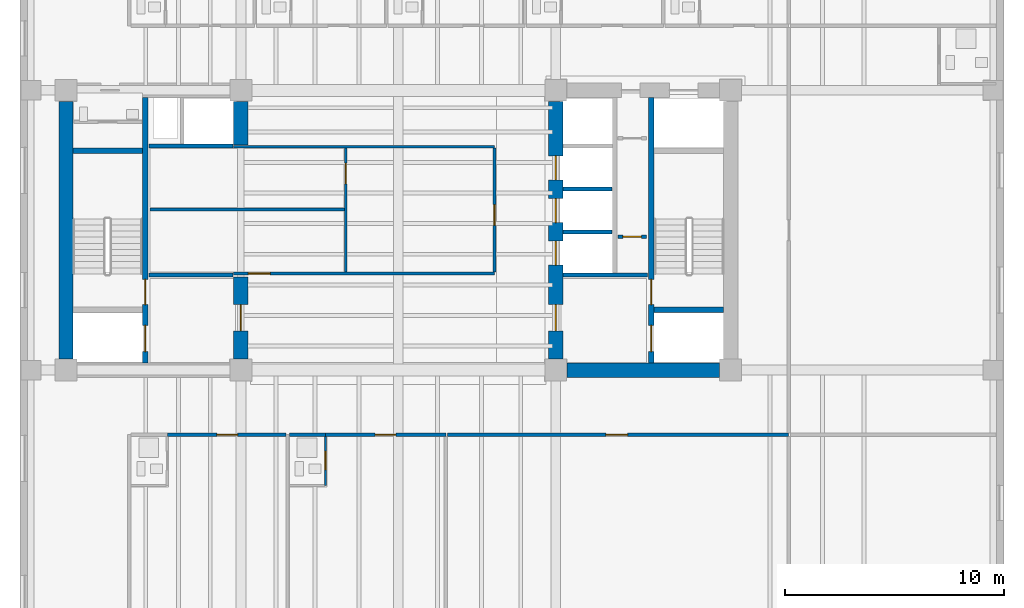
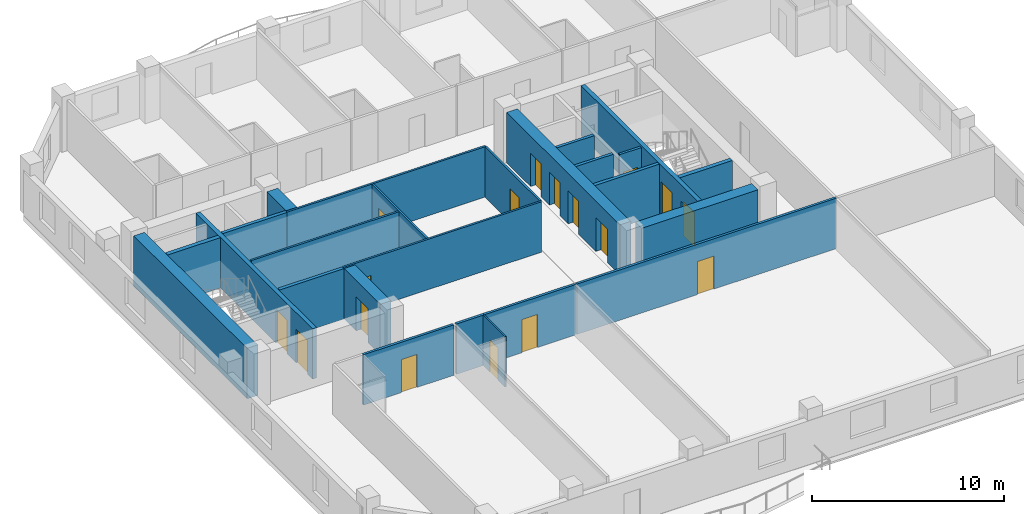
# One storey, part 3 of 9: 25 walls, 17 doors, 17 openings.
"""IFC4 building model written with IfcOpenShell, lengths in metres."""

from ifc_helpers import new_model, si_unit, direction, frame, frame_2d, origin, place, context, subcontext, project, spatial, rectangle, extrude, material, layer, layer_set, type_object, element, fill, save


model = new_model("IFC4")

# Units and contexts
model_context = context("Model", 3, precision=1e-05, world=origin(), true_north=direction((0.0, 1.0)))
body_context = subcontext(model_context, "Body", "Model", "MODEL_VIEW")
ifc_project = project(units=[si_unit("LENGTHUNIT", "METRE"), si_unit("AREAUNIT", "SQUARE_METRE"), si_unit("VOLUMEUNIT", "CUBIC_METRE"), si_unit("PLANEANGLEUNIT", "RADIAN"), si_unit("MASSUNIT", "GRAM", prefix="KILO")], contexts=[model_context])

# Site, building, storey
site_placement = place(None, origin())
site = spatial("IfcSite", under=ifc_project, at=site_placement, CompositionType="ELEMENT")
building_placement = place(site_placement, origin())
building = spatial("IfcBuilding", under=site, at=building_placement, Name="Kranthara Brick Stack", CompositionType="ELEMENT")
storey_placement = place(building_placement, frame((0.0, 0.0, 148.300048828125)))
storey = spatial("IfcBuildingStorey", under=building, at=storey_placement, Name="L37", CompositionType="ELEMENT", Elevation=148.300048828125)

# Wall, openings, doors
ifc_material_1 = material(Name="Concrete C50/60", Category="concrete")
ifc_layer_1 = layer(ifc_material_1, 0.25)
ifc_layer_set_1 = layer_set([ifc_layer_1], Name="Concrete C50/60")
wall_type_1 = type_object("IfcWallType", Name="WL-CORE-250", PredefinedType="SHEAR", material=ifc_layer_set_1)
wall_1_placement = place(storey_placement, frame((16.43505859375, 21.135009765625, 0.0), z_axis=(0.0, 0.0, 1.0), x_axis=(0.0, 1.0, 0.0)))
wall_1 = element("IfcWall", 1, at=wall_1_placement, inside=storey, type_object=wall_type_1, Name="L37 West Core Stair Bearing Spine Wall", PredefinedType="SHEAR", context=body_context, shape_type="SweptSolid", body=[
    extrude(rectangle(XDim=12.1298828125, YDim=0.25, at=frame_2d((6.06494140625, 0.0))), origin(), (0.0, 0.0, 1.0), 3.199951171875),
])
opening_1_placement = place(wall_1_placement, frame((0.514892578125, 0.0, 0.0)))
opening_1 = element("IfcOpeningElement", 2, at=opening_1_placement, cuts=wall_1, Name="Opening LD01", PredefinedType="OPENING", context=body_context, shape_type="SweptSolid", body=[
    extrude(rectangle(XDim=1.199951171875, YDim=2.14990234375, at=frame_2d((0.60009765625, 1.074951171875))), frame((0.0, 0.135009765625, 0.0), z_axis=(0.0, -1.0, 0.0), x_axis=(1.0, 0.0, 0.0)), (0.0, 0.0, 1.0), 0.27001953125),
])
opening_2_placement = place(wall_1_placement, frame((2.6650390625, 0.0, 0.0)))
opening_2 = element("IfcOpeningElement", 3, at=opening_2_placement, cuts=wall_1, Name="Opening D05", PredefinedType="OPENING", context=body_context, shape_type="SweptSolid", body=[
    extrude(rectangle(XDim=1.14990234375, YDim=2.14990234375, at=frame_2d((0.574951171875, 1.074951171875))), frame((0.0, 0.135009765625, 0.0), z_axis=(0.0, -1.0, 0.0), x_axis=(1.0, 0.0, 0.0)), (0.0, 0.0, 1.0), 0.27001953125),
])
ifc_material_2 = material(Name="Stainless steel sliding landing door", Category="steel")
door_type_1 = type_object("IfcDoorType", Name="DR-LD-FF1200", OperationType="DOUBLE_DOOR_SLIDING", PredefinedType="DOOR", material=ifc_material_2)
door_1_placement = place(opening_1_placement, origin())
door_1 = element("IfcDoor", 4, at=door_1_placement, inside=storey, type_object=door_type_1, Name="L37 Firefighting Lift FF-01 Landing Door", OperationType="DOUBLE_DOOR_SLIDING", OverallHeight=2.14990234375, OverallWidth=1.199951171875, PredefinedType="DOOR", context=body_context, shape_type="SweptSolid", body=[
    extrude(rectangle(XDim=1.199951171875, YDim=2.14990234375, at=frame_2d((0.60009765625, 1.074951171875))), frame((0.0, 0.02490234375, 0.0), z_axis=(0.0, -1.0, 0.0), x_axis=(1.0, 0.0, 0.0)), (0.0, 0.0, 1.0), 0.050048828125),
])
fill(opening_1, door_1)
ifc_material_3 = material(Name="Solid-core hardwood timber leaf in steel frame", Category="steel")
door_type_2 = type_object("IfcDoorType", Name="DR-ST-1150", OperationType="NOTDEFINED", PredefinedType="DOOR", material=ifc_material_3)
door_2_placement = place(opening_2_placement, origin())
door_2 = element("IfcDoor", 5, at=door_2_placement, inside=storey, type_object=door_type_2, Name="L37 Exit Stair ST01 Door", OperationType="SINGLE_SWING_RIGHT", OverallHeight=2.14990234375, OverallWidth=1.14990234375, PredefinedType="DOOR", context=body_context, shape_type="SweptSolid", body=[
    extrude(rectangle(XDim=1.14990234375, YDim=2.14990234375, at=frame_2d((0.574951171875, 1.074951171875))), frame((0.0, 0.02490234375, 0.0), z_axis=(0.0, -1.0, 0.0), x_axis=(1.0, 0.0, 0.0)), (0.0, 0.0, 1.0), 0.050048828125),
])
fill(opening_2, door_2)

# Wall
wall_2_placement = place(storey_placement, frame((13.135009765625, 30.830078125, 0.0), z_axis=(0.0, 0.0, 1.0), x_axis=(1.0, 0.0, 0.0)))
element("IfcWall", 6, at=wall_2_placement, inside=storey, type_object=wall_type_1, Name="L37 West Stairwell Bearing Wall WST", PredefinedType="SHEAR", context=body_context, shape_type="SweptSolid", body=[
    extrude(rectangle(XDim=3.175048828125, YDim=0.25, at=frame_2d((1.58740234375, 0.0))), origin(), (0.0, 0.0, 1.0), 3.199951171875),
])

# Wall, openings, doors
wall_3_placement = place(storey_placement, frame((39.56494140625, 21.135009765625, 0.0), z_axis=(0.0, 0.0, 1.0), x_axis=(0.0, 1.0, 0.0)))
wall_3 = element("IfcWall", 7, at=wall_3_placement, inside=storey, type_object=wall_type_1, Name="L37 East Core Stair Bearing Spine Wall", PredefinedType="SHEAR", context=body_context, shape_type="SweptSolid", body=[
    extrude(rectangle(XDim=12.1298828125, YDim=0.25, at=frame_2d((6.06494140625, 0.0))), origin(), (0.0, 0.0, 1.0), 3.199951171875),
])
opening_3_placement = place(wall_3_placement, frame((0.514892578125, 0.0, 0.0)))
opening_3 = element("IfcOpeningElement", 8, at=opening_3_placement, cuts=wall_3, Name="Opening LD01", PredefinedType="OPENING", context=body_context, shape_type="SweptSolid", body=[
    extrude(rectangle(XDim=1.199951171875, YDim=2.14990234375, at=frame_2d((0.60009765625, 1.074951171875))), frame((0.0, 0.135009765625, 0.0), z_axis=(0.0, -1.0, 0.0), x_axis=(1.0, 0.0, 0.0)), (0.0, 0.0, 1.0), 0.27001953125),
])
opening_4_placement = place(wall_3_placement, frame((2.6650390625, 0.0, 0.0)))
opening_4 = element("IfcOpeningElement", 9, at=opening_4_placement, cuts=wall_3, Name="Opening D05", PredefinedType="OPENING", context=body_context, shape_type="SweptSolid", body=[
    extrude(rectangle(XDim=1.14990234375, YDim=2.14990234375, at=frame_2d((0.574951171875, 1.074951171875))), frame((0.0, 0.135009765625, 0.0), z_axis=(0.0, -1.0, 0.0), x_axis=(1.0, 0.0, 0.0)), (0.0, 0.0, 1.0), 0.27001953125),
])
door_3_placement = place(opening_3_placement, origin())
door_3 = element("IfcDoor", 10, at=door_3_placement, inside=storey, type_object=door_type_1, Name="L37 Firefighting Lift FF-02 Landing Door", OperationType="DOUBLE_DOOR_SLIDING", OverallHeight=2.14990234375, OverallWidth=1.199951171875, PredefinedType="DOOR", context=body_context, shape_type="SweptSolid", body=[
    extrude(rectangle(XDim=1.199951171875, YDim=2.14990234375, at=frame_2d((0.60009765625, 1.074951171875))), frame((0.0, 0.02490234375, 0.0), z_axis=(0.0, -1.0, 0.0), x_axis=(1.0, 0.0, 0.0)), (0.0, 0.0, 1.0), 0.050048828125),
])
fill(opening_3, door_3)
door_4_placement = place(opening_4_placement, origin())
door_4 = element("IfcDoor", 11, at=door_4_placement, inside=storey, type_object=door_type_2, Name="L37 Exit Stair ST02 Door", OperationType="SINGLE_SWING_LEFT", OverallHeight=2.14990234375, OverallWidth=1.14990234375, PredefinedType="DOOR", context=body_context, shape_type="SweptSolid", body=[
    extrude(rectangle(XDim=1.14990234375, YDim=2.14990234375, at=frame_2d((0.574951171875, 1.074951171875))), frame((0.0, 0.02490234375, 0.0), z_axis=(0.0, -1.0, 0.0), x_axis=(1.0, 0.0, 0.0)), (0.0, 0.0, 1.0), 0.050048828125),
])
fill(opening_4, door_4)

# Walls
wall_4_placement = place(storey_placement, frame((39.68994140625, 23.570068359375, 0.0), z_axis=(0.0, 0.0, 1.0), x_axis=(1.0, 0.0, 0.0)))
element("IfcWall", 12, at=wall_4_placement, inside=storey, type_object=wall_type_1, Name="L37 East Stairwell Bearing Wall EFF", PredefinedType="SHEAR", context=body_context, shape_type="SweptSolid", body=[
    extrude(rectangle(XDim=3.175048828125, YDim=0.25, at=frame_2d((1.58740234375, 0.0))), origin(), (0.0, 0.0, 1.0), 3.199951171875),
])
ifc_material_4 = material(Name="Concrete C60/75", Category="concrete")
ifc_layer_2 = layer(ifc_material_4, 0.64990234375)
ifc_layer_set_2 = layer_set([ifc_layer_2], Name="Concrete C60/75")
wall_type_2 = type_object("IfcWallType", Name="WL-CORE-650", PredefinedType="SHEAR", material=ifc_layer_set_2)
wall_5_placement = place(storey_placement, frame((12.800048828125, 21.304931640625, 0.0), z_axis=(0.0, 0.0, 1.0), x_axis=(0.0, 1.0, 0.0)))
element("IfcWall", 13, at=wall_5_placement, inside=storey, type_object=wall_type_2, Name="L37 West Core Shear Wall West", PredefinedType="SHEAR", context=body_context, shape_type="SweptSolid", body=[
    extrude(rectangle(XDim=11.7900390625, YDim=0.64990234375, at=frame_2d((5.89501953125, 0.0))), origin(), (0.0, 0.0, 1.0), 3.199951171875),
])

# Wall, opening, door
wall_6_placement = place(storey_placement, frame((20.800048828125, 21.304931640625, 0.0), z_axis=(0.0, 0.0, 1.0), x_axis=(0.0, 1.0, 0.0)))
wall_6 = element("IfcWall", 14, at=wall_6_placement, inside=storey, type_object=wall_type_2, Name="L37 West Core Lobby Shear Wall", PredefinedType="SHEAR", context=body_context, shape_type="SweptSolid", body=[
    extrude(rectangle(XDim=3.7451171875, YDim=0.64990234375, at=frame_2d((1.87255859375, 0.0))), origin(), (0.0, 0.0, 1.0), 3.199951171875),
])
opening_5_placement = place(wall_6_placement, frame((1.294921875, 0.0, 0.0)))
opening_5 = element("IfcOpeningElement", 15, at=opening_5_placement, cuts=wall_6, Name="Opening D06", PredefinedType="OPENING", context=body_context, shape_type="SweptSolid", body=[
    extrude(rectangle(XDim=1.199951171875, YDim=2.14990234375, at=frame_2d((0.60009765625, 1.074951171875))), frame((0.0, 0.3349609375, 0.0), z_axis=(0.0, -1.0, 0.0), x_axis=(1.0, 0.0, 0.0)), (0.0, 0.0, 1.0), 0.669921875),
])
ifc_material_5 = material(Name="Solid-core hardwood timber leaf in steel frame", Category="steel")
door_type_3 = type_object("IfcDoorType", Name="DR-FFL-1200", OperationType="NOTDEFINED", PredefinedType="DOOR", material=ifc_material_5)
door_5_placement = place(opening_5_placement, origin())
door_5 = element("IfcDoor", 16, at=door_5_placement, inside=storey, type_object=door_type_3, Name="L37 West Firefighting Lobby Door", OperationType="SINGLE_SWING_LEFT", OverallHeight=2.14990234375, OverallWidth=1.199951171875, PredefinedType="DOOR", context=body_context, shape_type="SweptSolid", body=[
    extrude(rectangle(XDim=1.199951171875, YDim=2.14990234375, at=frame_2d((0.60009765625, 1.074951171875))), frame((0.0, 0.02490234375, 0.0), z_axis=(0.0, -1.0, 0.0), x_axis=(1.0, 0.0, 0.0)), (0.0, 0.0, 1.0), 0.050048828125),
])
fill(opening_5, door_5)

# Walls
wall_7_placement = place(storey_placement, frame((20.800048828125, 31.10009765625, 0.0), z_axis=(0.0, 0.0, 1.0), x_axis=(0.0, 1.0, 0.0)))
element("IfcWall", 17, at=wall_7_placement, inside=storey, type_object=wall_type_2, Name="L37 West Core High-Rise Lift Wall", PredefinedType="SHEAR", context=body_context, shape_type="SweptSolid", body=[
    extrude(rectangle(XDim=1.994873046875, YDim=0.64990234375, at=frame_2d((0.99755859375, 0.0))), origin(), (0.0, 0.0, 1.0), 3.199951171875),
])
wall_8_placement = place(storey_placement, frame((35.705078125, 20.800048828125, 0.0), z_axis=(0.0, 0.0, 1.0), x_axis=(1.0, 0.0, 0.0)))
element("IfcWall", 18, at=wall_8_placement, inside=storey, type_object=wall_type_2, Name="L37 East Core Shear Wall South", PredefinedType="SHEAR", context=body_context, shape_type="SweptSolid", body=[
    extrude(rectangle(XDim=6.989990234375, YDim=0.64990234375, at=frame_2d((3.4951171875, 0.0))), origin(), (0.0, 0.0, 1.0), 3.199951171875),
])

# Wall, openings, doors
wall_9_placement = place(storey_placement, frame((35.199951171875, 21.304931640625, 0.0), z_axis=(0.0, 0.0, 1.0), x_axis=(0.0, 1.0, 0.0)))
wall_9 = element("IfcWall", 19, at=wall_9_placement, inside=storey, type_object=wall_type_2, Name="L37 East Core Shear Wall West", PredefinedType="SHEAR", context=body_context, shape_type="SweptSolid", body=[
    extrude(rectangle(XDim=11.7900390625, YDim=0.64990234375, at=frame_2d((5.89501953125, 0.0))), origin(), (0.0, 0.0, 1.0), 3.199951171875),
])
opening_6_placement = place(wall_9_placement, frame((1.294921875, 0.0, 0.0)))
opening_6 = element("IfcOpeningElement", 20, at=opening_6_placement, cuts=wall_9, Name="Opening D06", PredefinedType="OPENING", context=body_context, shape_type="SweptSolid", body=[
    extrude(rectangle(XDim=1.199951171875, YDim=2.14990234375, at=frame_2d((0.60009765625, 1.074951171875))), frame((0.0, 0.3349609375, 0.0), z_axis=(0.0, -1.0, 0.0), x_axis=(1.0, 0.0, 0.0)), (0.0, 0.0, 1.0), 0.669921875),
])
opening_7_placement = place(wall_9_placement, frame((4.294921875, 0.0, 0.0)))
opening_7 = element("IfcOpeningElement", 21, at=opening_7_placement, cuts=wall_9, Name="Opening LD02", PredefinedType="OPENING", context=body_context, shape_type="SweptSolid", body=[
    extrude(rectangle(XDim=1.10009765625, YDim=2.10009765625, at=frame_2d((0.550048828125, 1.050048828125))), frame((0.0, 0.3349609375, 0.0), z_axis=(0.0, -1.0, 0.0), x_axis=(1.0, 0.0, 0.0)), (0.0, 0.0, 1.0), 0.669921875),
])
opening_8_placement = place(wall_9_placement, frame((6.2451171875, 0.0, 0.0)))
opening_8 = element("IfcOpeningElement", 22, at=opening_8_placement, cuts=wall_9, Name="Opening LD02", PredefinedType="OPENING", context=body_context, shape_type="SweptSolid", body=[
    extrude(rectangle(XDim=1.10009765625, YDim=2.10009765625, at=frame_2d((0.550048828125, 1.050048828125))), frame((0.0, 0.3349609375, 0.0), z_axis=(0.0, -1.0, 0.0), x_axis=(1.0, 0.0, 0.0)), (0.0, 0.0, 1.0), 0.669921875),
])
opening_9_placement = place(wall_9_placement, frame((8.195068359375, 0.0, 0.0)))
opening_9 = element("IfcOpeningElement", 23, at=opening_9_placement, cuts=wall_9, Name="Opening LD02", PredefinedType="OPENING", context=body_context, shape_type="SweptSolid", body=[
    extrude(rectangle(XDim=1.10009765625, YDim=2.10009765625, at=frame_2d((0.550048828125, 1.050048828125))), frame((0.0, 0.3349609375, 0.0), z_axis=(0.0, -1.0, 0.0), x_axis=(1.0, 0.0, 0.0)), (0.0, 0.0, 1.0), 0.669921875),
])
door_6_placement = place(opening_6_placement, origin())
door_6 = element("IfcDoor", 24, at=door_6_placement, inside=storey, type_object=door_type_3, Name="L37 East Firefighting Lobby Door", OperationType="SINGLE_SWING_RIGHT", OverallHeight=2.14990234375, OverallWidth=1.199951171875, PredefinedType="DOOR", context=body_context, shape_type="SweptSolid", body=[
    extrude(rectangle(XDim=1.199951171875, YDim=2.14990234375, at=frame_2d((0.60009765625, 1.074951171875))), frame((0.0, 0.02490234375, 0.0), z_axis=(0.0, -1.0, 0.0), x_axis=(1.0, 0.0, 0.0)), (0.0, 0.0, 1.0), 0.050048828125),
])
fill(opening_6, door_6)
ifc_material_6 = material(Name="Stainless steel sliding landing door", Category="steel")
door_type_4 = type_object("IfcDoorType", Name="DR-LD-PL1100", OperationType="DOUBLE_DOOR_SLIDING", PredefinedType="DOOR", material=ifc_material_6)
door_7_placement = place(opening_7_placement, origin())
door_7 = element("IfcDoor", 25, at=door_7_placement, inside=storey, type_object=door_type_4, Name="L37 PL-04 Lift Landing Door", OperationType="DOUBLE_DOOR_SLIDING", OverallHeight=2.10009765625, OverallWidth=1.10009765625, PredefinedType="DOOR", context=body_context, shape_type="SweptSolid", body=[
    extrude(rectangle(XDim=1.10009765625, YDim=2.10009765625, at=frame_2d((0.550048828125, 1.050048828125))), frame((0.0, 0.02490234375, 0.0), z_axis=(0.0, -1.0, 0.0), x_axis=(1.0, 0.0, 0.0)), (0.0, 0.0, 1.0), 0.050048828125),
])
fill(opening_7, door_7)
door_8_placement = place(opening_8_placement, origin())
door_8 = element("IfcDoor", 26, at=door_8_placement, inside=storey, type_object=door_type_4, Name="L37 PL-05 Lift Landing Door", OperationType="DOUBLE_DOOR_SLIDING", OverallHeight=2.10009765625, OverallWidth=1.10009765625, PredefinedType="DOOR", context=body_context, shape_type="SweptSolid", body=[
    extrude(rectangle(XDim=1.10009765625, YDim=2.10009765625, at=frame_2d((0.550048828125, 1.050048828125))), frame((0.0, 0.02490234375, 0.0), z_axis=(0.0, -1.0, 0.0), x_axis=(1.0, 0.0, 0.0)), (0.0, 0.0, 1.0), 0.050048828125),
])
fill(opening_8, door_8)
door_9_placement = place(opening_9_placement, origin())
door_9 = element("IfcDoor", 27, at=door_9_placement, inside=storey, type_object=door_type_4, Name="L37 PL-06 Lift Landing Door", OperationType="DOUBLE_DOOR_SLIDING", OverallHeight=2.10009765625, OverallWidth=1.10009765625, PredefinedType="DOOR", context=body_context, shape_type="SweptSolid", body=[
    extrude(rectangle(XDim=1.10009765625, YDim=2.10009765625, at=frame_2d((0.550048828125, 1.050048828125))), frame((0.0, 0.02490234375, 0.0), z_axis=(0.0, -1.0, 0.0), x_axis=(1.0, 0.0, 0.0)), (0.0, 0.0, 1.0), 0.050048828125),
])
fill(opening_9, door_9)

# Wall, opening, door
ifc_material_7 = material(Name="Moisture-resistant wet-room partition", Category="other")
ifc_layer_3 = layer(ifc_material_7, 0.10009765625)
ifc_layer_set_3 = layer_set([ifc_layer_3], Name="Moisture-resistant wet-room partition")
wall_type_3 = type_object("IfcWallType", Name="WL-PART-100", PredefinedType="PARTITIONING", material=ifc_layer_set_3)
wall_10_placement = place(storey_placement, frame((24.672607421875, 15.52001953125, 0.0), z_axis=(0.0, 0.0, 1.0), x_axis=(0.0, 1.0, 0.0)))
wall_10 = element("IfcWall", 28, at=wall_10_placement, inside=storey, type_object=wall_type_3, Name="L37 Interior Partition 017", PredefinedType="PARTITIONING", context=body_context, shape_type="SweptSolid", body=[
    extrude(rectangle(XDim=2.25, YDim=0.10009765625, at=frame_2d((1.125, 0.0))), origin(), (0.0, 0.0, 1.0), 3.199951171875),
])
opening_10_placement = place(wall_10_placement, frame((0.719970703125, 0.0, 0.0)))
opening_10 = element("IfcOpeningElement", 29, at=opening_10_placement, cuts=wall_10, Name="Opening D17", PredefinedType="OPENING", context=body_context, shape_type="SweptSolid", body=[
    extrude(rectangle(XDim=0.85009765625, YDim=2.050048828125, at=frame_2d((0.425048828125, 1.02490234375))), frame((0.0, 0.06005859375, 0.0), z_axis=(0.0, -1.0, 0.0), x_axis=(1.0, 0.0, 0.0)), (0.0, 0.0, 1.0), 0.1201171875),
])
ifc_material_8 = material(Name="Solid-core hardwood timber leaf in steel frame", Category="steel")
door_type_5 = type_object("IfcDoorType", Name="DR-WET-850", OperationType="NOTDEFINED", PredefinedType="DOOR", material=ifc_material_8)
door_10_placement = place(opening_10_placement, origin())
door_10 = element("IfcDoor", 30, at=door_10_placement, inside=storey, type_object=door_type_5, Name="L37 Key 02 En-Suite Door 09", OperationType="SINGLE_SWING_LEFT", OverallHeight=2.050048828125, OverallWidth=0.85009765625, PredefinedType="DOOR", context=body_context, shape_type="SweptSolid", body=[
    extrude(rectangle(XDim=0.85009765625, YDim=2.050048828125, at=frame_2d((0.425048828125, 1.02490234375))), frame((0.0, 0.02490234375, 0.0), z_axis=(0.0, -1.0, 0.0), x_axis=(1.0, 0.0, 0.0)), (0.0, 0.0, 1.0), 0.050048828125),
])
fill(opening_10, door_10)

ifc_material_9 = material(Name="Acoustic gypsum plasterboard partition", Category="other")
ifc_layer_4 = layer(ifc_material_9, 0.1201171875)
ifc_layer_set_4 = layer_set([ifc_layer_4], Name="Acoustic gypsum plasterboard partition")
wall_type_4 = type_object("IfcWallType", Name="WL-PART-120", PredefinedType="PARTITIONING", material=ifc_layer_set_4)
wall_11_placement = place(storey_placement, frame((20.4599609375, 25.219970703125, 0.0), z_axis=(0.0, 0.0, 1.0), x_axis=(1.0, 0.0, 0.0)))
wall_11 = element("IfcWall", 31, at=wall_11_placement, inside=storey, type_object=wall_type_4, Name="L37 Interior Partition 004", PredefinedType="PARTITIONING", context=body_context, shape_type="SweptSolid", body=[
    extrude(rectangle(XDim=11.93994140625, YDim=0.1201171875, at=frame_2d((5.969970703125, 0.0))), origin(), (0.0, 0.0, 1.0), 3.199951171875),
])
opening_11_placement = place(wall_11_placement, frame((0.679931640625, 0.0, 0.0)))
opening_11 = element("IfcOpeningElement", 32, at=opening_11_placement, cuts=wall_11, Name="Opening D13", PredefinedType="OPENING", context=body_context, shape_type="SweptSolid", body=[
    extrude(rectangle(XDim=1.0, YDim=2.10009765625, at=frame_2d((0.5, 1.050048828125))), frame((0.0, 0.070068359375, 0.0), z_axis=(0.0, -1.0, 0.0), x_axis=(1.0, 0.0, 0.0)), (0.0, 0.0, 1.0), 0.14013671875),
])
ifc_material_10 = material(Name="Solid-core hardwood timber leaf in steel frame", Category="steel")
door_type_6 = type_object("IfcDoorType", Name="DR-INT-1000", OperationType="NOTDEFINED", PredefinedType="DOOR", material=ifc_material_10)
door_11_placement = place(opening_11_placement, origin())
door_11 = element("IfcDoor", 33, at=door_11_placement, inside=storey, type_object=door_type_6, Name="L37 Reading Room Door 04", OperationType="SINGLE_SWING_RIGHT", OverallHeight=2.10009765625, OverallWidth=1.0, PredefinedType="DOOR", context=body_context, shape_type="SweptSolid", body=[
    extrude(rectangle(XDim=1.0, YDim=2.10009765625, at=frame_2d((0.5, 1.050048828125))), frame((0.0, 0.02490234375, 0.0), z_axis=(0.0, -1.0, 0.0), x_axis=(1.0, 0.0, 0.0)), (0.0, 0.0, 1.0), 0.050048828125),
])
fill(opening_11, door_11)

# Wall
wall_12_placement = place(storey_placement, frame((20.4599609375, 31.02001953125, 0.0), z_axis=(0.0, 0.0, 1.0), x_axis=(1.0, 0.0, 0.0)))
element("IfcWall", 34, at=wall_12_placement, inside=storey, type_object=wall_type_4, Name="L37 Interior Partition 005", PredefinedType="PARTITIONING", context=body_context, shape_type="SweptSolid", body=[
    extrude(rectangle(XDim=11.93994140625, YDim=0.1201171875, at=frame_2d((5.969970703125, 0.0))), origin(), (0.0, 0.0, 1.0), 3.199951171875),
])

# Wall, opening, door
wall_13_placement = place(storey_placement, frame((32.39990234375, 25.284912109375, 0.0), z_axis=(0.0, 0.0, 1.0), x_axis=(0.0, 1.0, 0.0)))
wall_13 = element("IfcWall", 35, at=wall_13_placement, inside=storey, type_object=wall_type_4, Name="L37 Interior Partition 006", PredefinedType="PARTITIONING", context=body_context, shape_type="SweptSolid", body=[
    extrude(rectangle(XDim=5.670166015625, YDim=0.1201171875, at=frame_2d((2.8349609375, 0.0))), origin(), (0.0, 0.0, 1.0), 3.199951171875),
])
opening_12_placement = place(wall_13_placement, frame((2.135009765625, 0.0, 0.0)))
opening_12 = element("IfcOpeningElement", 36, at=opening_12_placement, cuts=wall_13, Name="Opening D14", PredefinedType="OPENING", context=body_context, shape_type="SweptSolid", body=[
    extrude(rectangle(XDim=0.949951171875, YDim=2.10009765625, at=frame_2d((0.47509765625, 1.050048828125))), frame((0.0, 0.070068359375, 0.0), z_axis=(0.0, -1.0, 0.0), x_axis=(1.0, 0.0, 0.0)), (0.0, 0.0, 1.0), 0.14013671875),
])
ifc_material_11 = material(Name="Solid-core hardwood timber leaf in steel frame", Category="steel")
door_type_7 = type_object("IfcDoorType", Name="DR-INT-950", OperationType="NOTDEFINED", PredefinedType="DOOR", material=ifc_material_11)
door_12_placement = place(opening_12_placement, origin())
door_12 = element("IfcDoor", 37, at=door_12_placement, inside=storey, type_object=door_type_7, Name="L37 Housekeeping Linen Door 06", OperationType="SINGLE_SWING_RIGHT", OverallHeight=2.10009765625, OverallWidth=0.949951171875, PredefinedType="DOOR", context=body_context, shape_type="SweptSolid", body=[
    extrude(rectangle(XDim=0.949951171875, YDim=2.10009765625, at=frame_2d((0.47509765625, 1.050048828125))), frame((0.0, 0.02490234375, 0.0), z_axis=(0.0, -1.0, 0.0), x_axis=(1.0, 0.0, 0.0)), (0.0, 0.0, 1.0), 0.050048828125),
])
fill(opening_12, door_12)

wall_14_placement = place(storey_placement, frame((25.60009765625, 25.284912109375, 0.0), z_axis=(0.0, 0.0, 1.0), x_axis=(0.0, 1.0, 0.0)))
wall_14 = element("IfcWall", 38, at=wall_14_placement, inside=storey, type_object=wall_type_4, Name="L37 Interior Partition 007", PredefinedType="PARTITIONING", context=body_context, shape_type="SweptSolid", body=[
    extrude(rectangle(XDim=5.670166015625, YDim=0.1201171875, at=frame_2d((2.8349609375, 0.0))), origin(), (0.0, 0.0, 1.0), 3.199951171875),
])
opening_13_placement = place(wall_14_placement, frame((4.034912109375, 0.0, 0.0)))
opening_13 = element("IfcOpeningElement", 39, at=opening_13_placement, cuts=wall_14, Name="Opening D14", PredefinedType="OPENING", context=body_context, shape_type="SweptSolid", body=[
    extrude(rectangle(XDim=0.949951171875, YDim=2.10009765625, at=frame_2d((0.47509765625, 1.050048828125))), frame((0.0, 0.070068359375, 0.0), z_axis=(0.0, -1.0, 0.0), x_axis=(1.0, 0.0, 0.0)), (0.0, 0.0, 1.0), 0.14013671875),
])
door_13_placement = place(opening_13_placement, origin())
door_13 = element("IfcDoor", 40, at=door_13_placement, inside=storey, type_object=door_type_7, Name="L37 Meeting Salon Door 05", OperationType="SINGLE_SWING_LEFT", OverallHeight=2.10009765625, OverallWidth=0.949951171875, PredefinedType="DOOR", context=body_context, shape_type="SweptSolid", body=[
    extrude(rectangle(XDim=0.949951171875, YDim=2.10009765625, at=frame_2d((0.47509765625, 1.050048828125))), frame((0.0, 0.02490234375, 0.0), z_axis=(0.0, -1.0, 0.0), x_axis=(1.0, 0.0, 0.0)), (0.0, 0.0, 1.0), 0.050048828125),
])
fill(opening_13, door_13)

# Wall
wall_15_placement = place(storey_placement, frame((16.64990234375, 28.14990234375, 0.0), z_axis=(0.0, 0.0, 1.0), x_axis=(1.0, 0.0, 0.0)))
element("IfcWall", 41, at=wall_15_placement, inside=storey, type_object=wall_type_4, Name="L37 Interior Partition 008", PredefinedType="PARTITIONING", context=body_context, shape_type="SweptSolid", body=[
    extrude(rectangle(XDim=8.885009765625, YDim=0.1201171875, at=frame_2d((4.4423828125, 0.0))), origin(), (0.0, 0.0, 1.0), 3.199951171875),
])

# Wall, opening, door
ifc_material_12 = material(Name="Fire-rated gypsum board partition", Category="other")
ifc_layer_5 = layer(ifc_material_12, 0.14990234375)
ifc_layer_set_5 = layer_set([ifc_layer_5], Name="Fire-rated gypsum board partition")
wall_type_5 = type_object("IfcWallType", Name="WL-PART-150", PredefinedType="PARTITIONING", material=ifc_layer_set_5)
wall_16_placement = place(storey_placement, frame((38.050048828125, 26.89990234375, 0.0), z_axis=(0.0, 0.0, 1.0), x_axis=(1.0, 0.0, 0.0)))
wall_16 = element("IfcWall", 42, at=wall_16_placement, inside=storey, type_object=wall_type_5, Name="L37 Interior Partition 002", PredefinedType="PARTITIONING", context=body_context, shape_type="SweptSolid", body=[
    extrude(rectangle(XDim=1.300048828125, YDim=0.14990234375, at=frame_2d((0.64990234375, 0.0))), origin(), (0.0, 0.0, 1.0), 3.199951171875),
])
opening_14_placement = place(wall_16_placement, frame((0.219970703125, 0.0, 0.0)))
opening_14 = element("IfcOpeningElement", 43, at=opening_14_placement, cuts=wall_16, Name="Opening D10", PredefinedType="OPENING", context=body_context, shape_type="SweptSolid", body=[
    extrude(rectangle(XDim=0.85009765625, YDim=2.02001953125, at=frame_2d((0.425048828125, 1.010009765625))), frame((0.0, 0.0849609375, 0.0), z_axis=(0.0, -1.0, 0.0), x_axis=(1.0, 0.0, 0.0)), (0.0, 0.0, 1.0), 0.169921875),
])
ifc_material_13 = material(Name="Solid-core hardwood timber leaf in steel frame", Category="steel")
door_type_8 = type_object("IfcDoorType", Name="DR-RSR-850", OperationType="NOTDEFINED", PredefinedType="DOOR", material=ifc_material_13)
door_14_placement = place(opening_14_placement, origin())
door_14 = element("IfcDoor", 44, at=door_14_placement, inside=storey, type_object=door_type_8, Name="L37 East Valve Door 02", OperationType="SINGLE_SWING_RIGHT", OverallHeight=2.02001953125, OverallWidth=0.85009765625, PredefinedType="DOOR", context=body_context, shape_type="SweptSolid", body=[
    extrude(rectangle(XDim=0.85009765625, YDim=2.02001953125, at=frame_2d((0.425048828125, 1.010009765625))), frame((0.0, 0.02490234375, 0.0), z_axis=(0.0, -1.0, 0.0), x_axis=(1.0, 0.0, 0.0)), (0.0, 0.0, 1.0), 0.050048828125),
])
fill(opening_14, door_14)

wall_17_placement = place(storey_placement, frame((17.4365234375, 17.85009765625, 0.0), z_axis=(0.0, 0.0, 1.0), x_axis=(1.0, 0.0, 0.0)))
wall_17 = element("IfcWall", 45, at=wall_17_placement, inside=storey, type_object=wall_type_5, Name="L37 Interior Partition 012", PredefinedType="PARTITIONING", context=body_context, shape_type="SweptSolid", body=[
    extrude(rectangle(XDim=5.41943359375, YDim=0.14990234375, at=frame_2d((2.709716796875, 0.0))), origin(), (0.0, 0.0, 1.0), 3.199951171875),
])
opening_15_placement = place(wall_17_placement, frame((2.27001953125, 0.0, 0.0)))
opening_15 = element("IfcOpeningElement", 46, at=opening_15_placement, cuts=wall_17, Name="Opening D09", PredefinedType="OPENING", context=body_context, shape_type="SweptSolid", body=[
    extrude(rectangle(XDim=0.949951171875, YDim=2.10009765625, at=frame_2d((0.47509765625, 1.050048828125))), frame((0.0, 0.0849609375, 0.0), z_axis=(0.0, -1.0, 0.0), x_axis=(1.0, 0.0, 0.0)), (0.0, 0.0, 1.0), 0.169921875),
])
ifc_material_14 = material(Name="Solid-core hardwood timber leaf in steel frame", Category="steel")
door_type_9 = type_object("IfcDoorType", Name="DR-FD-950", OperationType="NOTDEFINED", PredefinedType="DOOR", material=ifc_material_14)
door_15_placement = place(opening_15_placement, origin())
door_15 = element("IfcDoor", 47, at=door_15_placement, inside=storey, type_object=door_type_9, Name="L37 Key 01 Entry 08", OperationType="SINGLE_SWING_RIGHT", OverallHeight=2.10009765625, OverallWidth=0.949951171875, PredefinedType="DOOR", context=body_context, shape_type="SweptSolid", body=[
    extrude(rectangle(XDim=0.949951171875, YDim=2.10009765625, at=frame_2d((0.47509765625, 1.050048828125))), frame((0.0, 0.02490234375, 0.0), z_axis=(0.0, -1.0, 0.0), x_axis=(1.0, 0.0, 0.0)), (0.0, 0.0, 1.0), 0.050048828125),
])
fill(opening_15, door_15)

# Wall
wall_18_placement = place(storey_placement, frame((23.01611328125, 17.85009765625, 0.0), z_axis=(0.0, 0.0, 1.0), x_axis=(1.0, 0.0, 0.0)))
element("IfcWall", 48, at=wall_18_placement, inside=storey, type_object=wall_type_5, Name="L37 Interior Partition 015", PredefinedType="PARTITIONING", context=body_context, shape_type="SweptSolid", body=[
    extrude(rectangle(XDim=1.656494140625, YDim=0.14990234375, at=frame_2d((0.828125, 0.0))), origin(), (0.0, 0.0, 1.0), 3.199951171875),
])

# Wall, opening, door
wall_19_placement = place(storey_placement, frame((24.672607421875, 17.85009765625, 0.0), z_axis=(0.0, 0.0, 1.0), x_axis=(1.0, 0.0, 0.0)))
wall_19 = element("IfcWall", 49, at=wall_19_placement, inside=storey, type_object=wall_type_5, Name="L37 Interior Partition 016", PredefinedType="PARTITIONING", context=body_context, shape_type="SweptSolid", body=[
    extrude(rectangle(XDim=5.49951171875, YDim=0.14990234375, at=frame_2d((2.749755859375, 0.0))), origin(), (0.0, 0.0, 1.0), 3.199951171875),
])
opening_16_placement = place(wall_19_placement, frame((2.27001953125, 0.0, 0.0)))
opening_16 = element("IfcOpeningElement", 50, at=opening_16_placement, cuts=wall_19, Name="Opening D09", PredefinedType="OPENING", context=body_context, shape_type="SweptSolid", body=[
    extrude(rectangle(XDim=0.949951171875, YDim=2.10009765625, at=frame_2d((0.47509765625, 1.050048828125))), frame((0.0, 0.0849609375, 0.0), z_axis=(0.0, -1.0, 0.0), x_axis=(1.0, 0.0, 0.0)), (0.0, 0.0, 1.0), 0.169921875),
])
door_16_placement = place(opening_16_placement, origin())
door_16 = element("IfcDoor", 51, at=door_16_placement, inside=storey, type_object=door_type_9, Name="L37 Key 02 Entry 10", OperationType="SINGLE_SWING_RIGHT", OverallHeight=2.10009765625, OverallWidth=0.949951171875, PredefinedType="DOOR", context=body_context, shape_type="SweptSolid", body=[
    extrude(rectangle(XDim=0.949951171875, YDim=2.10009765625, at=frame_2d((0.47509765625, 1.050048828125))), frame((0.0, 0.02490234375, 0.0), z_axis=(0.0, -1.0, 0.0), x_axis=(1.0, 0.0, 0.0)), (0.0, 0.0, 1.0), 0.050048828125),
])
fill(opening_16, door_16)

wall_20_placement = place(storey_placement, frame((30.251953125, 17.85009765625, 0.0), z_axis=(0.0, 0.0, 1.0), x_axis=(1.0, 0.0, 0.0)))
wall_20 = element("IfcWall", 52, at=wall_20_placement, inside=storey, type_object=wall_type_5, Name="L37 Interior Partition 020", PredefinedType="PARTITIONING", context=body_context, shape_type="SweptSolid", body=[
    extrude(rectangle(XDim=15.59814453125, YDim=0.14990234375, at=frame_2d((7.799072265625, 0.0))), origin(), (0.0, 0.0, 1.0), 3.199951171875),
])
opening_17_placement = place(wall_20_placement, frame((7.239013671875, 0.0, 0.0)))
opening_17 = element("IfcOpeningElement", 53, at=opening_17_placement, cuts=wall_20, Name="Opening D08", PredefinedType="OPENING", context=body_context, shape_type="SweptSolid", body=[
    extrude(rectangle(XDim=1.0, YDim=2.10009765625, at=frame_2d((0.5, 1.050048828125))), frame((0.0, 0.0849609375, 0.0), z_axis=(0.0, -1.0, 0.0), x_axis=(1.0, 0.0, 0.0)), (0.0, 0.0, 1.0), 0.169921875),
])
ifc_material_15 = material(Name="Solid-core hardwood timber leaf in steel frame", Category="steel")
door_type_10 = type_object("IfcDoorType", Name="DR-FD-1000", OperationType="NOTDEFINED", PredefinedType="DOOR", material=ifc_material_15)
door_17_placement = place(opening_17_placement, origin())
door_17 = element("IfcDoor", 54, at=door_17_placement, inside=storey, type_object=door_type_10, Name="L37 Guest Lounge 11", OperationType="SINGLE_SWING_LEFT", OverallHeight=2.10009765625, OverallWidth=1.0, PredefinedType="DOOR", context=body_context, shape_type="SweptSolid", body=[
    extrude(rectangle(XDim=1.0, YDim=2.10009765625, at=frame_2d((0.5, 1.050048828125))), frame((0.0, 0.02490234375, 0.0), z_axis=(0.0, -1.0, 0.0), x_axis=(1.0, 0.0, 0.0)), (0.0, 0.0, 1.0), 0.050048828125),
])
fill(opening_17, door_17)

# Walls
ifc_material_16 = material(Name="Gypsum plasterboard on acoustic twin stud", Category="other")
ifc_layer_6 = layer(ifc_material_16, 0.179931640625)
ifc_layer_set_6 = layer_set([ifc_layer_6], Name="Gypsum plasterboard on acoustic twin stud")
wall_type_6 = type_object("IfcWallType", Name="WL-PART-180", PredefinedType="PARTITIONING", material=ifc_layer_set_6)
for number, where, z_axis, x_axis, name in (
    (55, (35.534912109375, 27.1201171875, 0.0), (0.0, 0.0, 1.0), (1.0, 0.0, 0.0), "L37 East Hoistway Wall EH1"),
    (56, (35.534912109375, 29.080078125, 0.0), (0.0, 0.0, 1.0), (1.0, 0.0, 0.0), "L37 East Hoistway Wall EH2"),
):
    element("IfcWall", number, at=place(storey_placement, frame(where, z_axis=z_axis, x_axis=x_axis)), inside=storey, type_object=wall_type_6, Name=name, PredefinedType="PARTITIONING", context=body_context, shape_type="SweptSolid", body=[
        extrude(rectangle(XDim=2.2451171875, YDim=0.179931640625, at=frame_2d((1.12255859375, 0.0))), origin(), (0.0, 0.0, 1.0), 3.199951171875),
    ])
ifc_material_17 = material(Name="Concrete C40/50", Category="concrete")
ifc_layer_7 = layer(ifc_material_17, 0.199951171875)
ifc_layer_set_7 = layer_set([ifc_layer_7], Name="Concrete C40/50")
wall_type_7 = type_object("IfcWallType", Name="WL-PART-200", PredefinedType="SOLIDWALL", material=ifc_layer_set_7)
for number, where, z_axis, x_axis, name in (
    (57, (16.60009765625, 25.14990234375, 0.0), (0.0, 0.0, 1.0), (1.0, 0.0, 0.0), "L37 West Core Cross Wall WFL"),
    (58, (16.60009765625, 31.050048828125, 0.0), (0.0, 0.0, 1.0), (1.0, 0.0, 0.0), "L37 West Core Cross Wall WH4"),
):
    element("IfcWall", number, at=place(storey_placement, frame(where, z_axis=z_axis, x_axis=x_axis)), inside=storey, type_object=wall_type_7, Name=name, PredefinedType="SOLIDWALL", context=body_context, shape_type="SweptSolid", body=[
        extrude(rectangle(XDim=3.849853515625, YDim=0.199951171875, at=frame_2d((1.9248046875, 0.0))), origin(), (0.0, 0.0, 1.0), 3.199951171875),
    ])
wall_21_placement = place(storey_placement, frame((35.534912109375, 25.14990234375, 0.0), z_axis=(0.0, 0.0, 1.0), x_axis=(1.0, 0.0, 0.0)))
element("IfcWall", 59, at=wall_21_placement, inside=storey, type_object=wall_type_7, Name="L37 East Core Cross Wall EFL", PredefinedType="SOLIDWALL", context=body_context, shape_type="SweptSolid", body=[
    extrude(rectangle(XDim=3.864990234375, YDim=0.199951171875, at=frame_2d((1.9326171875, 0.0))), origin(), (0.0, 0.0, 1.0), 3.199951171875),
])

save(model, "model.ifc")
